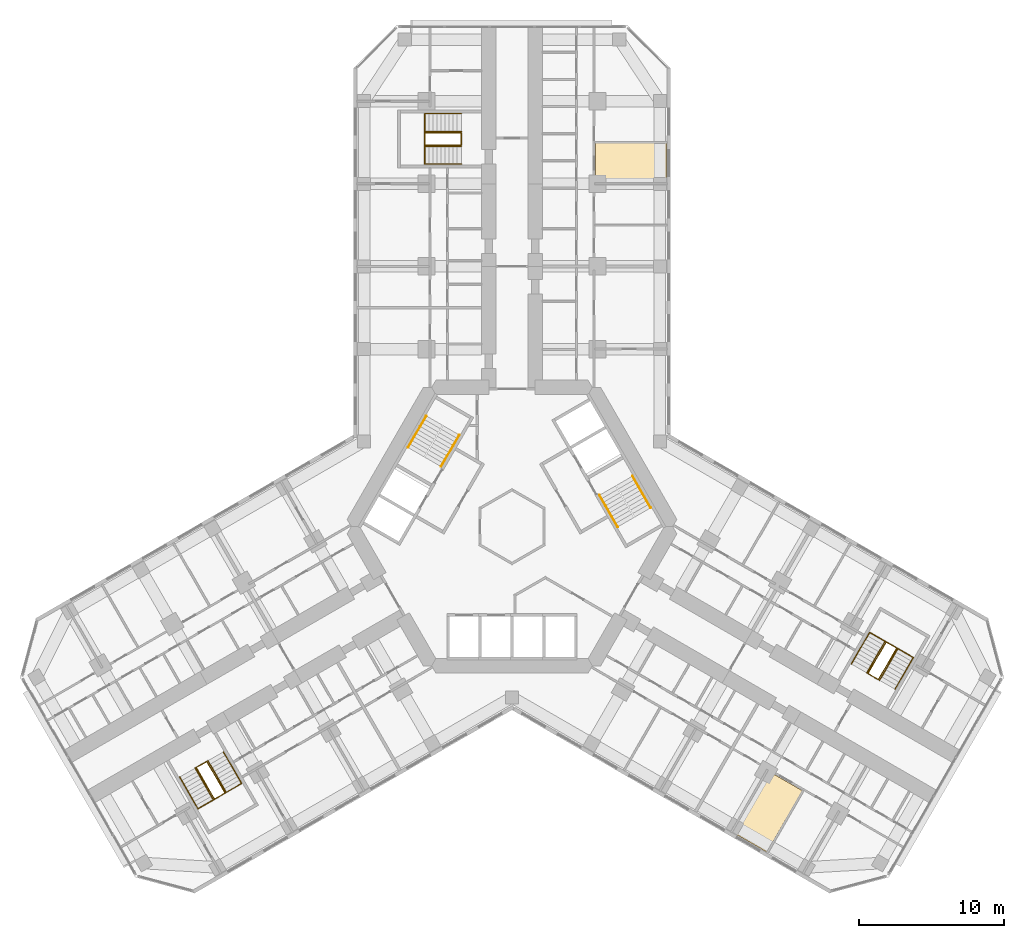
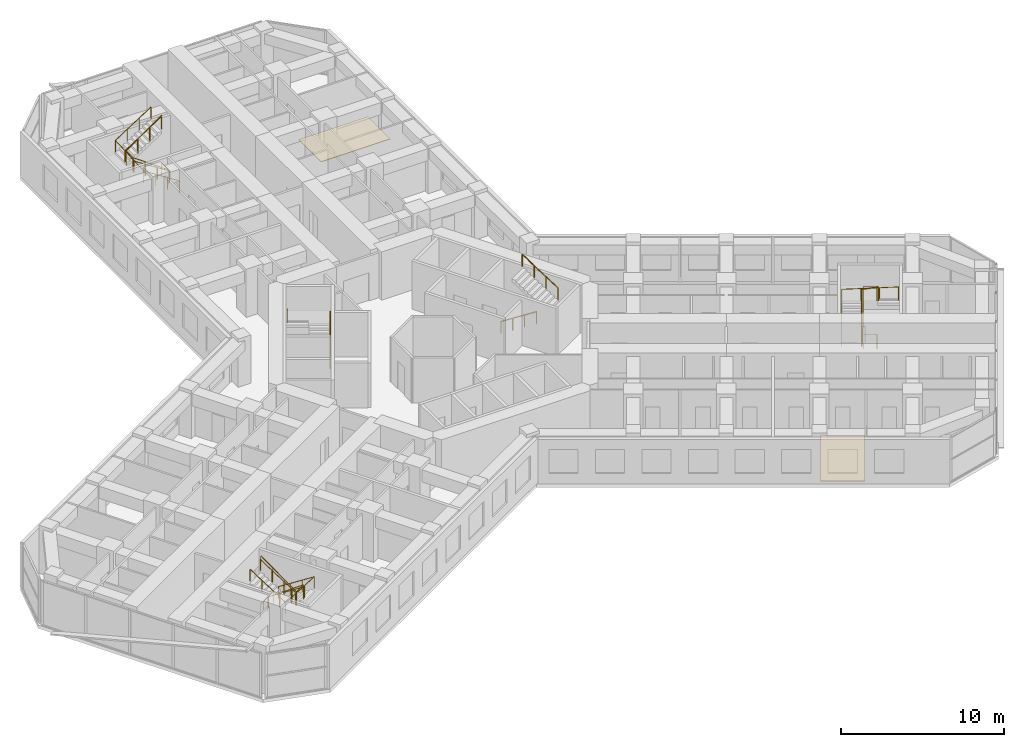
# One storey, part 21 of 21: 13 railings, 2 coverings.
"""IFC4 building model written with IfcOpenShell, lengths in metres."""

from ifc_helpers import new_model, si_unit, direction, frame, origin, origin_2d, place, context, subcontext, project, spatial, polyline, circle, outline, extrude, material, layer, layer_set, type_object, element, save


model = new_model("IFC4")

# Units and contexts
model_context = context("Model", 3, precision=1e-05, world=origin(), true_north=direction((0.0, 1.0)))
body_context = subcontext(model_context, "Body", "Model", "MODEL_VIEW")
ifc_project = project(units=[si_unit("LENGTHUNIT", "METRE"), si_unit("AREAUNIT", "SQUARE_METRE"), si_unit("VOLUMEUNIT", "CUBIC_METRE"), si_unit("PLANEANGLEUNIT", "RADIAN"), si_unit("MASSUNIT", "GRAM", prefix="KILO")], contexts=[model_context])

# Site, building, storey
site_placement = place(None, origin())
site = spatial("IfcSite", under=ifc_project, at=site_placement, CompositionType="ELEMENT")
building_placement = place(site_placement, origin())
building = spatial("IfcBuilding", under=site, at=building_placement, Name="Kosmar Iwan School Tower", CompositionType="ELEMENT")
storey_placement = place(building_placement, frame((0.0, 0.0, 106.0)))
storey = spatial("IfcBuildingStorey", under=building, at=storey_placement, Name="L26", CompositionType="ELEMENT", Elevation=106.0)

# Railings
ifc_material_1 = material(Name="Black steel", Category="steel")
railing_type_1 = type_object("IfcRailingType", Name="Stair handrail 900", PredefinedType="HANDRAIL", material=ifc_material_1)
railing_1_placement = place(storey_placement, frame((-4.89453125, 4.142333984375, 0.179931640625)))
element("IfcRailing", 1, at=railing_1_placement, inside=storey, type_object=railing_type_1, Name="Handrail ST2 flight 1", PredefinedType="HANDRAIL", context=body_context, shape_type="SweptSolid", body=[
    extrude(circle(Radius=0.02392578125, at=origin_2d()), frame((0.0, 0.0, 0.8759765625), z_axis=(0.420584145978, 0.728463801763, 0.540785970299), x_axis=(-0.866022637375, 0.500004791531, 0.0)), (0.0, 0.0, 1.0), 2.995849609375),
    extrude(circle(Radius=0.02099609375, at=origin_2d()), origin(), (0.0, 0.0, 1.0), 0.851806640625),
    extrude(circle(Radius=0.02099609375, at=origin_2d()), frame((0.419921875, 0.7275390625, 0.5400390625)), (0.0, 0.0, 1.0), 0.851806640625),
    extrude(circle(Radius=0.02099609375, at=origin_2d()), frame((0.840087890625, 1.454833984375, 1.080078125)), (0.0, 0.0, 1.0), 0.851806640625),
    extrude(circle(Radius=0.02099609375, at=origin_2d()), frame((1.260009765625, 2.182373046875, 1.6201171875)), (0.0, 0.0, 1.0), 0.851806640625),
])
railing_2_placement = place(storey_placement, frame((-5.912353515625, 7.6396484375, 1.97998046875)))
element("IfcRailing", 2, at=railing_2_placement, inside=storey, type_object=railing_type_1, Name="Handrail ST2 flight 2", PredefinedType="HANDRAIL", context=body_context, shape_type="SweptSolid", body=[
    extrude(circle(Radius=0.02392578125, at=origin_2d()), frame((0.0, 0.0, 0.8759765625), z_axis=(-0.420584145978, -0.728463801763, 0.540785970299), x_axis=(0.866022637375, -0.500004791531, 0.0)), (0.0, 0.0, 1.0), 2.995849609375),
    extrude(circle(Radius=0.02099609375, at=origin_2d()), origin(), (0.0, 0.0, 1.0), 0.851806640625),
    extrude(circle(Radius=0.02099609375, at=origin_2d()), frame((-0.419921875, -0.7275390625, 0.5400390625)), (0.0, 0.0, 1.0), 0.851806640625),
    extrude(circle(Radius=0.02099609375, at=origin_2d()), frame((-0.840087890625, -1.454833984375, 1.080078125)), (0.0, 0.0, 1.0), 0.851806640625),
    extrude(circle(Radius=0.02099609375, at=origin_2d()), frame((-1.260009765625, -2.182373046875, 1.6201171875)), (0.0, 0.0, 1.0), 0.851806640625),
])
railing_3_placement = place(storey_placement, frame((6.03466796875, 2.167724609375, 0.179931640625)))
element("IfcRailing", 3, at=railing_3_placement, inside=storey, type_object=railing_type_1, Name="Handrail ST1 flight 1", PredefinedType="HANDRAIL", context=body_context, shape_type="SweptSolid", body=[
    extrude(circle(Radius=0.02392578125, at=origin_2d()), frame((0.0, 0.0, 0.8759765625), z_axis=(0.420584145978, -0.728463801763, 0.540785970299), x_axis=(0.866022637375, 0.500004791531, 0.0)), (0.0, 0.0, 1.0), 2.995849609375),
    extrude(circle(Radius=0.02099609375, at=origin_2d()), origin(), (0.0, 0.0, 1.0), 0.851806640625),
    extrude(circle(Radius=0.02099609375, at=origin_2d()), frame((0.419921875, -0.7275390625, 0.5400390625)), (0.0, 0.0, 1.0), 0.851806640625),
    extrude(circle(Radius=0.02099609375, at=origin_2d()), frame((0.840087890625, -1.454833984375, 1.080078125)), (0.0, 0.0, 1.0), 0.851806640625),
    extrude(circle(Radius=0.02099609375, at=origin_2d()), frame((1.260009765625, -2.182373046875, 1.6201171875)), (0.0, 0.0, 1.0), 0.851806640625),
])
railing_4_placement = place(storey_placement, frame((9.572265625, 1.30029296875, 1.97998046875)))
element("IfcRailing", 4, at=railing_4_placement, inside=storey, type_object=railing_type_1, Name="Handrail ST1 flight 2", PredefinedType="HANDRAIL", context=body_context, shape_type="SweptSolid", body=[
    extrude(circle(Radius=0.02392578125, at=origin_2d()), frame((0.0, 0.0, 0.8759765625), z_axis=(-0.420584145978, 0.728463801763, 0.540785970299), x_axis=(-0.866022637375, -0.500004791531, 0.0)), (0.0, 0.0, 1.0), 2.995849609375),
    extrude(circle(Radius=0.02099609375, at=origin_2d()), origin(), (0.0, 0.0, 1.0), 0.851806640625),
    extrude(circle(Radius=0.02099609375, at=origin_2d()), frame((-0.419921875, 0.7275390625, 0.5400390625)), (0.0, 0.0, 1.0), 0.851806640625),
    extrude(circle(Radius=0.02099609375, at=origin_2d()), frame((-0.840087890625, 1.454833984375, 1.080078125)), (0.0, 0.0, 1.0), 0.851806640625),
    extrude(circle(Radius=0.02099609375, at=origin_2d()), frame((-1.260009765625, 2.182373046875, 1.6201171875)), (0.0, 0.0, 1.0), 0.851806640625),
])
railing_5_placement = place(storey_placement, frame((-3.5, 25.010009765625, 0.179931640625)))
element("IfcRailing", 5, at=railing_5_placement, inside=storey, type_object=railing_type_1, Name="Handrail stair WS1 L26 wall side", PredefinedType="HANDRAIL", context=body_context, shape_type="SweptSolid", body=[
    extrude(circle(Radius=0.02392578125, at=origin_2d()), frame((0.0, 0.0, 0.8759765625), z_axis=(-0.841162588446, 0.0, 0.540782303519), x_axis=(0.0, -1.0, 0.0)), (0.0, 0.0, 1.0), 2.995849609375),
    extrude(circle(Radius=0.02392578125, at=origin_2d()), frame((-2.52001953125, 0.0, 2.49609375), z_axis=(0.0, 0.998665981786, 0.051635809497), x_axis=(-1.0, 0.0, 0.0)), (0.0, 0.0, 1.0), 3.484619140625),
    extrude(circle(Radius=0.02392578125, at=origin_2d()), frame((-2.52001953125, 3.47998046875, 2.67578125), z_axis=(0.841162588446, 0.0, 0.540782303519), x_axis=(0.0, 1.0, 0.0)), (0.0, 0.0, 1.0), 2.995849609375),
    extrude(circle(Radius=0.02099609375, at=origin_2d()), origin(), (0.0, 0.0, 1.0), 0.851806640625),
    extrude(circle(Radius=0.02099609375, at=origin_2d()), frame((-0.840087890625, 0.0, 0.5400390625)), (0.0, 0.0, 1.0), 0.851806640625),
    extrude(circle(Radius=0.02099609375, at=origin_2d()), frame((-1.679931640625, 0.0, 1.080078125)), (0.0, 0.0, 1.0), 0.851806640625),
    extrude(circle(Radius=0.02099609375, at=origin_2d()), frame((-2.52001953125, 0.0, 1.6201171875)), (0.0, 0.0, 1.0), 0.851806640625),
    extrude(circle(Radius=0.02099609375, at=origin_2d()), frame((-2.52001953125, 1.159912109375, 1.68017578125)), (0.0, 0.0, 1.0), 0.851806640625),
    extrude(circle(Radius=0.02099609375, at=origin_2d()), frame((-2.52001953125, 2.320068359375, 1.739990234375)), (0.0, 0.0, 1.0), 0.851806640625),
    extrude(circle(Radius=0.02099609375, at=origin_2d()), frame((-2.52001953125, 3.47998046875, 1.800048828125)), (0.0, 0.0, 1.0), 0.851806640625),
    extrude(circle(Radius=0.02099609375, at=origin_2d()), frame((-1.679931640625, 3.47998046875, 2.340087890625)), (0.0, 0.0, 1.0), 0.851806640625),
    extrude(circle(Radius=0.02099609375, at=origin_2d()), frame((-0.840087890625, 3.47998046875, 2.880126953125)), (0.0, 0.0, 1.0), 0.851806640625),
    extrude(circle(Radius=0.02099609375, at=origin_2d()), frame((0.0, 3.47998046875, 3.420166015625)), (0.0, 0.0, 1.0), 0.851806640625),
])
railing_6_placement = place(storey_placement, frame((-3.5, 26.239990234375, 0.179931640625)))
element("IfcRailing", 6, at=railing_6_placement, inside=storey, type_object=railing_type_1, Name="Handrail stair WS1 L26 well side", PredefinedType="HANDRAIL", context=body_context, shape_type="SweptSolid", body=[
    extrude(circle(Radius=0.02392578125, at=origin_2d()), frame((0.0, 0.0, 0.8759765625), z_axis=(-0.841162588446, 0.0, 0.540782303519), x_axis=(0.0, -1.0, 0.0)), (0.0, 0.0, 1.0), 2.995849609375),
    extrude(circle(Radius=0.02392578125, at=origin_2d()), frame((-2.52001953125, 0.0, 2.49609375), z_axis=(0.0, 0.984795421109, 0.173718100851), x_axis=(-1.0, 0.0, 0.0)), (0.0, 0.0, 1.0), 1.035888671875),
    extrude(circle(Radius=0.02392578125, at=origin_2d()), frame((-2.52001953125, 1.02001953125, 2.67578125), z_axis=(0.841162588446, 0.0, 0.540782303519), x_axis=(0.0, 1.0, 0.0)), (0.0, 0.0, 1.0), 2.995849609375),
    extrude(circle(Radius=0.02099609375, at=origin_2d()), origin(), (0.0, 0.0, 1.0), 0.851806640625),
    extrude(circle(Radius=0.02099609375, at=origin_2d()), frame((-0.840087890625, 0.0, 0.5400390625)), (0.0, 0.0, 1.0), 0.851806640625),
    extrude(circle(Radius=0.02099609375, at=origin_2d()), frame((-1.679931640625, 0.0, 1.080078125)), (0.0, 0.0, 1.0), 0.851806640625),
    extrude(circle(Radius=0.02099609375, at=origin_2d()), frame((-2.52001953125, 0.0, 1.6201171875)), (0.0, 0.0, 1.0), 0.851806640625),
    extrude(circle(Radius=0.02099609375, at=origin_2d()), frame((-2.52001953125, 1.02001953125, 1.800048828125)), (0.0, 0.0, 1.0), 0.851806640625),
    extrude(circle(Radius=0.02099609375, at=origin_2d()), frame((-1.679931640625, 1.02001953125, 2.340087890625)), (0.0, 0.0, 1.0), 0.851806640625),
    extrude(circle(Radius=0.02099609375, at=origin_2d()), frame((-0.840087890625, 1.02001953125, 2.880126953125)), (0.0, 0.0, 1.0), 0.851806640625),
    extrude(circle(Radius=0.02099609375, at=origin_2d()), frame((0.0, 1.02001953125, 3.420166015625)), (0.0, 0.0, 1.0), 0.851806640625),
])
railing_7_placement = place(storey_placement, frame((-19.9091796875, -15.5361328125, 0.179931640625)))
element("IfcRailing", 7, at=railing_7_placement, inside=storey, type_object=railing_type_1, Name="Handrail stair WS2 L26 wall side", PredefinedType="HANDRAIL", context=body_context, shape_type="SweptSolid", body=[
    extrude(circle(Radius=0.02392578125, at=origin_2d()), frame((0.0, 0.0, 0.8759765625), z_axis=(0.420517065106, -0.728488768407, 0.540804504659), x_axis=(0.866064587494, 0.499932125682, 0.0)), (0.0, 0.0, 1.0), 2.995849609375),
    extrude(circle(Radius=0.02392578125, at=origin_2d()), frame((1.259765625, -2.182373046875, 2.49609375), z_axis=(-0.864864352349, -0.499342858003, 0.051636829851), x_axis=(0.500009906705, -0.86601968407, 0.0)), (0.0, 0.0, 1.0), 3.484619140625),
    extrude(circle(Radius=0.02392578125, at=origin_2d()), frame((-1.75390625, -3.92236328125, 2.67578125), z_axis=(-0.420584145978, 0.728463801763, 0.540785970299), x_axis=(-0.866022637375, -0.500004791531, 0.0)), (0.0, 0.0, 1.0), 2.995849609375),
    extrude(circle(Radius=0.02099609375, at=origin_2d()), origin(), (0.0, 0.0, 1.0), 0.851806640625),
    extrude(circle(Radius=0.02099609375, at=origin_2d()), frame((0.419921875, -0.7275390625, 0.5400390625)), (0.0, 0.0, 1.0), 0.851806640625),
    extrude(circle(Radius=0.02099609375, at=origin_2d()), frame((0.83984375, -1.454833984375, 1.080078125)), (0.0, 0.0, 1.0), 0.851806640625),
    extrude(circle(Radius=0.02099609375, at=origin_2d()), frame((1.259765625, -2.182373046875, 1.6201171875)), (0.0, 0.0, 1.0), 0.851806640625),
    extrude(circle(Radius=0.02099609375, at=origin_2d()), frame((0.255126953125, -2.762451171875, 1.68017578125)), (0.0, 0.0, 1.0), 0.851806640625),
    extrude(circle(Radius=0.02099609375, at=origin_2d()), frame((-0.749267578125, -3.34228515625, 1.739990234375)), (0.0, 0.0, 1.0), 0.851806640625),
    extrude(circle(Radius=0.02099609375, at=origin_2d()), frame((-1.75390625, -3.92236328125, 1.800048828125)), (0.0, 0.0, 1.0), 0.851806640625),
    extrude(circle(Radius=0.02099609375, at=origin_2d()), frame((-2.173828125, -3.19482421875, 2.340087890625)), (0.0, 0.0, 1.0), 0.851806640625),
    extrude(circle(Radius=0.02099609375, at=origin_2d()), frame((-2.593994140625, -2.467529296875, 2.880126953125)), (0.0, 0.0, 1.0), 0.851806640625),
    extrude(circle(Radius=0.02099609375, at=origin_2d()), frame((-3.013916015625, -1.739990234375, 3.420166015625)), (0.0, 0.0, 1.0), 0.851806640625),
])
railing_8_placement = place(storey_placement, frame((-20.974609375, -16.151123046875, 0.179931640625)))
element("IfcRailing", 8, at=railing_8_placement, inside=storey, type_object=railing_type_1, Name="Handrail stair WS2 L26 well side", PredefinedType="HANDRAIL", context=body_context, shape_type="SweptSolid", body=[
    extrude(circle(Radius=0.02392578125, at=origin_2d()), frame((0.0, 0.0, 0.8759765625), z_axis=(0.420584145978, -0.728463801763, 0.540785970299), x_axis=(0.866022637375, 0.500004791531, 0.0)), (0.0, 0.0, 1.0), 2.995849609375),
    extrude(circle(Radius=0.02392578125, at=origin_2d()), frame((1.260009765625, -2.182373046875, 2.49609375), z_axis=(-0.852841519511, -0.492422867401, 0.173726976197), x_axis=(0.500026340207, -0.866010195725, 0.0)), (0.0, 0.0, 1.0), 1.03564453125),
    extrude(circle(Radius=0.02392578125, at=origin_2d()), frame((0.376708984375, -2.6923828125, 2.67578125), z_axis=(-0.420584145978, 0.728463801763, 0.540785970299), x_axis=(-0.866022637375, -0.500004791531, 0.0)), (0.0, 0.0, 1.0), 2.995849609375),
    extrude(circle(Radius=0.02099609375, at=origin_2d()), origin(), (0.0, 0.0, 1.0), 0.851806640625),
    extrude(circle(Radius=0.02099609375, at=origin_2d()), frame((0.419921875, -0.7275390625, 0.5400390625)), (0.0, 0.0, 1.0), 0.851806640625),
    extrude(circle(Radius=0.02099609375, at=origin_2d()), frame((0.840087890625, -1.454833984375, 1.080078125)), (0.0, 0.0, 1.0), 0.851806640625),
    extrude(circle(Radius=0.02099609375, at=origin_2d()), frame((1.260009765625, -2.182373046875, 1.6201171875)), (0.0, 0.0, 1.0), 0.851806640625),
    extrude(circle(Radius=0.02099609375, at=origin_2d()), frame((0.376708984375, -2.6923828125, 1.800048828125)), (0.0, 0.0, 1.0), 0.851806640625),
    extrude(circle(Radius=0.02099609375, at=origin_2d()), frame((-0.043212890625, -1.96484375, 2.340087890625)), (0.0, 0.0, 1.0), 0.851806640625),
    extrude(circle(Radius=0.02099609375, at=origin_2d()), frame((-0.46337890625, -1.237548828125, 2.880126953125)), (0.0, 0.0, 1.0), 0.851806640625),
    extrude(circle(Radius=0.02099609375, at=origin_2d()), frame((-0.88330078125, -0.510009765625, 3.420166015625)), (0.0, 0.0, 1.0), 0.851806640625),
])
railing_9_placement = place(storey_placement, frame((23.4091796875, -9.473876953125, 0.179931640625)))
element("IfcRailing", 9, at=railing_9_placement, inside=storey, type_object=railing_type_1, Name="Handrail stair WS3 L26 wall side", PredefinedType="HANDRAIL", context=body_context, shape_type="SweptSolid", body=[
    extrude(circle(Radius=0.02392578125, at=origin_2d()), frame((0.0, 0.0, 0.8759765625), z_axis=(0.420584145978, 0.728463801763, 0.540785970299), x_axis=(-0.866022637375, 0.500004791531, 0.0)), (0.0, 0.0, 1.0), 2.995849609375),
    extrude(circle(Radius=0.02392578125, at=origin_2d()), frame((1.260009765625, 2.182373046875, 2.49609375), z_axis=(0.864882007433, -0.499312601618, 0.051633701051), x_axis=(0.499979528911, 0.866037222451, 0.0)), (0.0, 0.0, 1.0), 3.48486328125),
    extrude(circle(Radius=0.02392578125, at=origin_2d()), frame((4.27392578125, 0.4423828125, 2.67578125), z_axis=(-0.420584145978, -0.728463801763, 0.540785970299), x_axis=(0.866022637375, -0.500004791531, 0.0)), (0.0, 0.0, 1.0), 2.995849609375),
    extrude(circle(Radius=0.02099609375, at=origin_2d()), origin(), (0.0, 0.0, 1.0), 0.851806640625),
    extrude(circle(Radius=0.02099609375, at=origin_2d()), frame((0.419921875, 0.7275390625, 0.5400390625)), (0.0, 0.0, 1.0), 0.851806640625),
    extrude(circle(Radius=0.02099609375, at=origin_2d()), frame((0.840087890625, 1.454833984375, 1.080078125)), (0.0, 0.0, 1.0), 0.851806640625),
    extrude(circle(Radius=0.02099609375, at=origin_2d()), frame((1.260009765625, 2.182373046875, 1.6201171875)), (0.0, 0.0, 1.0), 0.851806640625),
    extrude(circle(Radius=0.02099609375, at=origin_2d()), frame((2.2646484375, 1.602294921875, 1.68017578125)), (0.0, 0.0, 1.0), 0.851806640625),
    extrude(circle(Radius=0.02099609375, at=origin_2d()), frame((3.269287109375, 1.0224609375, 1.739990234375)), (0.0, 0.0, 1.0), 0.851806640625),
    extrude(circle(Radius=0.02099609375, at=origin_2d()), frame((4.27392578125, 0.4423828125, 1.800048828125)), (0.0, 0.0, 1.0), 0.851806640625),
    extrude(circle(Radius=0.02099609375, at=origin_2d()), frame((3.85400390625, -0.28515625, 2.340087890625)), (0.0, 0.0, 1.0), 0.851806640625),
    extrude(circle(Radius=0.02099609375, at=origin_2d()), frame((3.433837890625, -1.012451171875, 2.880126953125)), (0.0, 0.0, 1.0), 0.851806640625),
    extrude(circle(Radius=0.02099609375, at=origin_2d()), frame((3.013916015625, -1.739990234375, 3.420166015625)), (0.0, 0.0, 1.0), 0.851806640625),
])
railing_10_placement = place(storey_placement, frame((24.474609375, -10.0888671875, 0.179931640625)))
element("IfcRailing", 10, at=railing_10_placement, inside=storey, type_object=railing_type_1, Name="Handrail stair WS3 L26 well side", PredefinedType="HANDRAIL", context=body_context, shape_type="SweptSolid", body=[
    extrude(circle(Radius=0.02392578125, at=origin_2d()), frame((0.0, 0.0, 0.8759765625), z_axis=(0.420584145978, 0.728463801763, 0.540785970299), x_axis=(-0.866022637375, 0.500004791531, 0.0)), (0.0, 0.0, 1.0), 2.995849609375),
    extrude(circle(Radius=0.02392578125, at=origin_2d()), frame((1.260009765625, 2.182373046875, 2.49609375), z_axis=(0.852841519511, -0.492422867401, 0.173726976197), x_axis=(0.500026340207, 0.866010195725, 0.0)), (0.0, 0.0, 1.0), 1.03564453125),
    extrude(circle(Radius=0.02392578125, at=origin_2d()), frame((2.143310546875, 1.67236328125, 2.67578125), z_axis=(-0.420584145978, -0.728463801763, 0.540785970299), x_axis=(0.866022637375, -0.500004791531, 0.0)), (0.0, 0.0, 1.0), 2.995849609375),
    extrude(circle(Radius=0.02099609375, at=origin_2d()), origin(), (0.0, 0.0, 1.0), 0.851806640625),
    extrude(circle(Radius=0.02099609375, at=origin_2d()), frame((0.419921875, 0.7275390625, 0.5400390625)), (0.0, 0.0, 1.0), 0.851806640625),
    extrude(circle(Radius=0.02099609375, at=origin_2d()), frame((0.840087890625, 1.454833984375, 1.080078125)), (0.0, 0.0, 1.0), 0.851806640625),
    extrude(circle(Radius=0.02099609375, at=origin_2d()), frame((1.260009765625, 2.182373046875, 1.6201171875)), (0.0, 0.0, 1.0), 0.851806640625),
    extrude(circle(Radius=0.02099609375, at=origin_2d()), frame((2.143310546875, 1.67236328125, 1.800048828125)), (0.0, 0.0, 1.0), 0.851806640625),
    extrude(circle(Radius=0.02099609375, at=origin_2d()), frame((1.723388671875, 0.94482421875, 2.340087890625)), (0.0, 0.0, 1.0), 0.851806640625),
    extrude(circle(Radius=0.02099609375, at=origin_2d()), frame((1.30322265625, 0.217529296875, 2.880126953125)), (0.0, 0.0, 1.0), 0.851806640625),
    extrude(circle(Radius=0.02099609375, at=origin_2d()), frame((0.88330078125, -0.510009765625, 3.420166015625)), (0.0, 0.0, 1.0), 0.851806640625),
])
ifc_material_2 = material(Name="Black steel", Category="steel")
railing_type_2 = type_object("IfcRailingType", Name="Stair well guard 1100", PredefinedType="GUARDRAIL", material=ifc_material_2)
railing_11_placement = place(storey_placement, frame((-3.5, 27.169921875, 0.0)))
element("IfcRailing", 11, at=railing_11_placement, inside=storey, type_object=railing_type_2, Name="Stair WS1 L26 well guard", PredefinedType="GUARDRAIL", context=body_context, shape_type="SweptSolid", body=[
    extrude(circle(Radius=0.02392578125, at=origin_2d()), frame((0.0, 0.0, 1.076171875), z_axis=(0.0, -1.0, 0.0), x_axis=(1.0, 0.0, 0.0)), (0.0, 0.0, 1.0), 0.83984375),
    extrude(circle(Radius=0.02392578125, at=origin_2d()), frame((0.0, -0.83984375, 1.076171875), z_axis=(-0.813728144527, 0.0, 0.581245650998), x_axis=(0.0, -1.0, 0.0)), (0.0, 0.0, 1.0), 3.096923828125),
    extrude(circle(Radius=0.02392578125, at=origin_2d()), frame((-2.52001953125, -0.83984375, 2.8759765625), z_axis=(0.0, 1.0, 0.0), x_axis=(-1.0, 0.0, 0.0)), (0.0, 0.0, 1.0), 0.83984375),
    extrude(circle(Radius=0.02392578125, at=origin_2d()), frame((-2.52001953125, 0.0, 2.8759765625), z_axis=(0.813728144527, 0.0, 0.581245650998), x_axis=(0.0, 1.0, 0.0)), (0.0, 0.0, 1.0), 3.096923828125),
    extrude(circle(Radius=0.02099609375, at=origin_2d()), origin(), (0.0, 0.0, 1.0), 1.052001953125),
    extrude(circle(Radius=0.02099609375, at=origin_2d()), frame((0.0, -0.83984375, 0.0)), (0.0, 0.0, 1.0), 1.052001953125),
    extrude(circle(Radius=0.02099609375, at=origin_2d()), frame((-0.840087890625, -0.83984375, 0.60009765625)), (0.0, 0.0, 1.0), 1.052001953125),
    extrude(circle(Radius=0.02099609375, at=origin_2d()), frame((-1.679931640625, -0.83984375, 1.199951171875)), (0.0, 0.0, 1.0), 1.052001953125),
    extrude(circle(Radius=0.02099609375, at=origin_2d()), frame((-2.52001953125, -0.83984375, 1.800048828125)), (0.0, 0.0, 1.0), 1.052001953125),
    extrude(circle(Radius=0.02099609375, at=origin_2d()), frame((-2.52001953125, 0.0, 1.800048828125)), (0.0, 0.0, 1.0), 1.052001953125),
    extrude(circle(Radius=0.02099609375, at=origin_2d()), frame((-1.679931640625, 0.0, 2.400146484375)), (0.0, 0.0, 1.0), 1.052001953125),
    extrude(circle(Radius=0.02099609375, at=origin_2d()), frame((-0.840087890625, 0.0, 3.0)), (0.0, 0.0, 1.0), 1.052001953125),
    extrude(circle(Radius=0.02099609375, at=origin_2d()), frame((0.0, 0.0, 3.60009765625)), (0.0, 0.0, 1.0), 1.052001953125),
])
railing_12_placement = place(storey_placement, frame((-21.780029296875, -16.6162109375, 0.0)))
element("IfcRailing", 12, at=railing_12_placement, inside=storey, type_object=railing_type_2, Name="Stair WS2 L26 well guard", PredefinedType="GUARDRAIL", context=body_context, shape_type="SweptSolid", body=[
    extrude(circle(Radius=0.02392578125, at=origin_2d()), frame((0.0, 0.0, 1.076171875), z_axis=(0.865962960534, 0.500108139288, 0.0), x_axis=(-0.500108139288, 0.865962960534, 0.0)), (0.0, 0.0, 1.0), 0.840087890625),
    extrude(circle(Radius=0.02392578125, at=origin_2d()), frame((0.7275390625, 0.420166015625, 1.076171875), z_axis=(0.40686665399, -0.704704712268, 0.58124933925), x_axis=(0.866022637375, 0.500004791531, 0.0)), (0.0, 0.0, 1.0), 3.096923828125),
    extrude(circle(Radius=0.02392578125, at=origin_2d()), frame((1.987548828125, -1.76220703125, 2.8759765625), z_axis=(-0.865962960534, -0.500108139288, 0.0), x_axis=(0.500108139288, -0.865962960534, 0.0)), (0.0, 0.0, 1.0), 0.840087890625),
    extrude(circle(Radius=0.02392578125, at=origin_2d()), frame((1.260009765625, -2.182373046875, 2.8759765625), z_axis=(-0.40686665399, 0.704704712268, 0.58124933925), x_axis=(-0.866022637375, -0.500004791531, 0.0)), (0.0, 0.0, 1.0), 3.096923828125),
    extrude(circle(Radius=0.02099609375, at=origin_2d()), origin(), (0.0, 0.0, 1.0), 1.052001953125),
    extrude(circle(Radius=0.02099609375, at=origin_2d()), frame((0.7275390625, 0.420166015625, 0.0)), (0.0, 0.0, 1.0), 1.052001953125),
    extrude(circle(Radius=0.02099609375, at=origin_2d()), frame((1.1474609375, -0.307373046875, 0.60009765625)), (0.0, 0.0, 1.0), 1.052001953125),
    extrude(circle(Radius=0.02099609375, at=origin_2d()), frame((1.567626953125, -1.03466796875, 1.199951171875)), (0.0, 0.0, 1.0), 1.052001953125),
    extrude(circle(Radius=0.02099609375, at=origin_2d()), frame((1.987548828125, -1.76220703125, 1.800048828125)), (0.0, 0.0, 1.0), 1.052001953125),
    extrude(circle(Radius=0.02099609375, at=origin_2d()), frame((1.260009765625, -2.182373046875, 1.800048828125)), (0.0, 0.0, 1.0), 1.052001953125),
    extrude(circle(Radius=0.02099609375, at=origin_2d()), frame((0.840087890625, -1.454833984375, 2.400146484375)), (0.0, 0.0, 1.0), 1.052001953125),
    extrude(circle(Radius=0.02099609375, at=origin_2d()), frame((0.419921875, -0.7275390625, 3.0)), (0.0, 0.0, 1.0), 1.052001953125),
    extrude(circle(Radius=0.02099609375, at=origin_2d()), frame((0.0, 0.0, 3.60009765625)), (0.0, 0.0, 1.0), 1.052001953125),
])
railing_13_placement = place(storey_placement, frame((25.280029296875, -10.553955078125, 0.0)))
element("IfcRailing", 13, at=railing_13_placement, inside=storey, type_object=railing_type_2, Name="Stair WS3 L26 well guard", PredefinedType="GUARDRAIL", context=body_context, shape_type="SweptSolid", body=[
    extrude(circle(Radius=0.02392578125, at=origin_2d()), frame((0.0, 0.0, 1.076171875), z_axis=(-0.865962960534, 0.500108139288, 0.0), x_axis=(-0.500108139288, -0.865962960534, 0.0)), (0.0, 0.0, 1.0), 0.840087890625),
    extrude(circle(Radius=0.02392578125, at=origin_2d()), frame((-0.7275390625, 0.420166015625, 1.076171875), z_axis=(0.40686665399, 0.704704712268, 0.58124933925), x_axis=(-0.866022637375, 0.500004791531, 0.0)), (0.0, 0.0, 1.0), 3.096923828125),
    extrude(circle(Radius=0.02392578125, at=origin_2d()), frame((0.532470703125, 2.6025390625, 2.8759765625), z_axis=(0.865890253765, -0.500234013672, 0.0), x_axis=(0.500234013672, 0.865890253765, 0.0)), (0.0, 0.0, 1.0), 0.83984375),
    extrude(circle(Radius=0.02392578125, at=origin_2d()), frame((1.259765625, 2.182373046875, 2.8759765625), z_axis=(-0.406800866334, -0.70472731476, 0.58126798207), x_axis=(0.866064587494, -0.499932125682, 0.0)), (0.0, 0.0, 1.0), 3.0966796875),
    extrude(circle(Radius=0.02099609375, at=origin_2d()), origin(), (0.0, 0.0, 1.0), 1.052001953125),
    extrude(circle(Radius=0.02099609375, at=origin_2d()), frame((-0.7275390625, 0.420166015625, 0.0)), (0.0, 0.0, 1.0), 1.052001953125),
    extrude(circle(Radius=0.02099609375, at=origin_2d()), frame((-0.3076171875, 1.147705078125, 0.60009765625)), (0.0, 0.0, 1.0), 1.052001953125),
    extrude(circle(Radius=0.02099609375, at=origin_2d()), frame((0.112548828125, 1.875, 1.199951171875)), (0.0, 0.0, 1.0), 1.052001953125),
    extrude(circle(Radius=0.02099609375, at=origin_2d()), frame((0.532470703125, 2.6025390625, 1.800048828125)), (0.0, 0.0, 1.0), 1.052001953125),
    extrude(circle(Radius=0.02099609375, at=origin_2d()), frame((1.259765625, 2.182373046875, 1.800048828125)), (0.0, 0.0, 1.0), 1.052001953125),
    extrude(circle(Radius=0.02099609375, at=origin_2d()), frame((0.83984375, 1.454833984375, 2.400146484375)), (0.0, 0.0, 1.0), 1.052001953125),
    extrude(circle(Radius=0.02099609375, at=origin_2d()), frame((0.419921875, 0.7275390625, 3.0)), (0.0, 0.0, 1.0), 1.052001953125),
    extrude(circle(Radius=0.02099609375, at=origin_2d()), frame((0.0, 0.0, 3.60009765625)), (0.0, 0.0, 1.0), 1.052001953125),
])

# Coverings
ifc_material_3 = material(Name="Honed limestone on mortar bed", Category="masonry")
ifc_layer = layer(ifc_material_3, 0.0400390625)
ifc_layer_set = layer_set([ifc_layer], Name="Winter garden stone flooring 40")
covering_type = type_object("IfcCoveringType", Name="Winter garden stone flooring 40", PredefinedType="FLOORING", material=ifc_layer_set)
covering_1_placement = place(storey_placement, origin())
element("IfcCovering", 14, at=covering_1_placement, inside=storey, type_object=covering_type, Name="Winter garden flooring L26-AR2-F3", PredefinedType="FLOORING", context=body_context, shape_type="SweptSolid", body=[
    extrude(outline(polyline([(5.760009765625, 23.699951171875), (10.64990234375, 23.699951171875), (10.64990234375, 26.449951171875), (5.760009765625, 26.449951171875), (5.760009765625, 23.699951171875)])), origin(), (0.0, 0.0, 1.0), 0.0400390625),
])
covering_2_placement = place(storey_placement, origin())
element("IfcCovering", 15, at=covering_2_placement, inside=storey, type_object=covering_type, Name="Winter garden flooring L26-CR2-F2", PredefinedType="FLOORING", context=body_context, shape_type="SweptSolid", body=[
    extrude(outline(polyline([(17.581298828125, -22.4482421875), (20.0263671875, -18.21337890625), (17.644775390625, -16.83837890625), (15.19970703125, -21.0732421875), (17.581298828125, -22.4482421875)])), origin(), (0.0, 0.0, 1.0), 0.0400390625),
])

save(model, "model.ifc")
